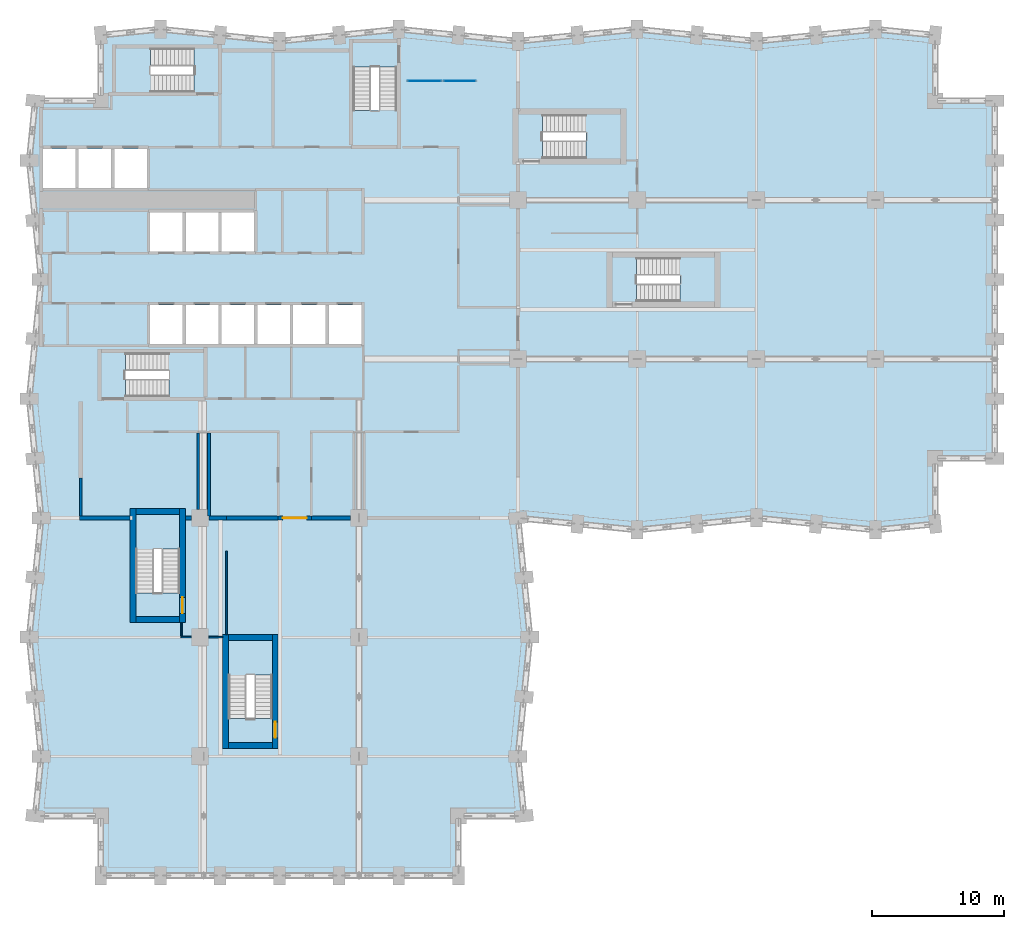
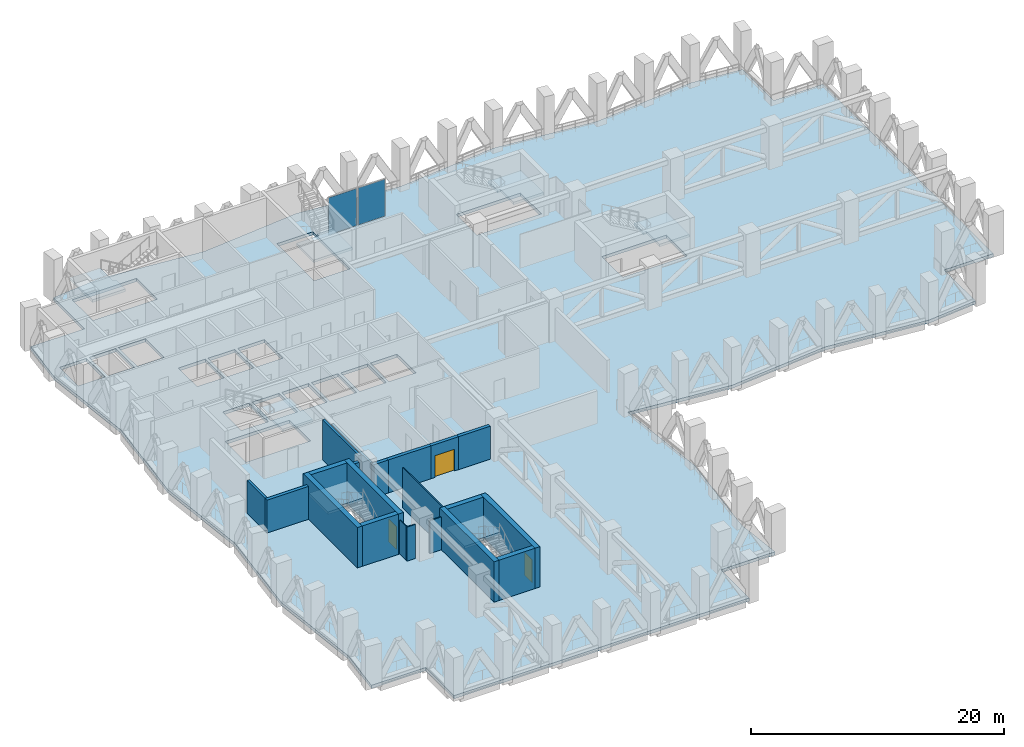
# One storey, part 13 of 25: 21 walls, 8 slabs, 3 doors, 2 plates, 3 openings, 9 elements without a shape of their own.
"""IFC4 building model written with IfcOpenShell, lengths in metres."""

from ifc_helpers import new_model, si_unit, direction, frame, frame_2d, origin, origin_2d, place, context, subcontext, project, spatial, polyline, rectangle, outline, extrude, material, layer, layer_set, type_object, element, fill, aggregate, save


model = new_model("IFC4")

# Units and contexts
model_context = context("Model", 3, precision=1e-05, world=origin(), true_north=direction((0.0, 1.0)))
body_context = subcontext(model_context, "Body", "Model", "MODEL_VIEW")
ifc_project = project(units=[si_unit("LENGTHUNIT", "METRE"), si_unit("AREAUNIT", "SQUARE_METRE"), si_unit("VOLUMEUNIT", "CUBIC_METRE"), si_unit("PLANEANGLEUNIT", "RADIAN"), si_unit("MASSUNIT", "GRAM", prefix="KILO")], contexts=[model_context])

# Site, building, storey
site_placement = place(None, origin())
site = spatial("IfcSite", under=ifc_project, at=site_placement, CompositionType="ELEMENT")
building_placement = place(site_placement, origin())
building = spatial("IfcBuilding", under=site, at=building_placement, Name="Brondeck Convention Tower", CompositionType="ELEMENT")
storey_placement = place(building_placement, frame((0.0, 0.0, 84.300048828125)))
storey = spatial("IfcBuildingStorey", under=building, at=storey_placement, Name="L19", CompositionType="ELEMENT", Elevation=84.300048828125)

# Curtain wall, plate
ifc_material_1 = material(Name="Aluminium, bronze anodised", Category="aluminium")
curtain_wall_type = type_object("IfcCurtainWallType", Name="Band enclosure curtain wall", PredefinedType="NOTDEFINED", material=ifc_material_1)
curtain_wall_1_placement = place(storey_placement, origin())
curtain_wall_1 = element("IfcCurtainWall", 1, at=curtain_wall_1_placement, inside=storey, type_object=curtain_wall_type, Name="ENV-L19-001-CW50", PredefinedType="NOTDEFINED")
ifc_material_2 = material(Name="Bronze tinted laminated glass", Category="glass")
ifc_layer_1 = layer(ifc_material_2, 0.008056640625, Name="Outer pane")
ifc_material_3 = material(Name="Argon-filled cavity")
ifc_layer_2 = layer(ifc_material_3, 0.011962890625, Name="Cavity")
ifc_material_4 = material(Name="Clear low-emissivity glass", Category="glass")
ifc_layer_3 = layer(ifc_material_4, 0.008056640625, Name="Inner pane")
ifc_layer_set_1 = layer_set([ifc_layer_1, ifc_layer_2, ifc_layer_3], Name="CW5 glazing panel")
plate_type = type_object("IfcPlateType", Name="CW5 glazing panel", PredefinedType="CURTAIN_PANEL", material=ifc_layer_set_1)
plate_1_placement = place(storey_placement, frame((31.60498046875, 60.0, 0.059814453125), z_axis=(0.0, 0.0, 1.0), x_axis=(1.0, 0.0, 0.0)))
plate_1 = element("IfcPlate", 2, at=plate_1_placement, type_object=plate_type, Name="CW5 panel 1.1", PredefinedType="CURTAIN_PANEL", context=body_context, shape_type="SweptSolid", body=[
    extrude(rectangle(XDim=2.429931640625, YDim=0.028076171875, at=origin_2d()), origin(), (0.0, 0.0, 1.0), 3.580078125),
])
aggregate(curtain_wall_1, [plate_1])

curtain_wall_2_placement = place(storey_placement, origin())
curtain_wall_2 = element("IfcCurtainWall", 3, at=curtain_wall_2_placement, inside=storey, type_object=curtain_wall_type, Name="ENV-L19-001-CW51", PredefinedType="NOTDEFINED")
plate_2_placement = place(storey_placement, frame((28.93505859375, 60.0, 0.059814453125), z_axis=(0.0, 0.0, 1.0), x_axis=(1.0, 0.0, 0.0)))
plate_2 = element("IfcPlate", 4, at=plate_2_placement, type_object=plate_type, Name="CW5 panel 1.1", PredefinedType="CURTAIN_PANEL", context=body_context, shape_type="SweptSolid", body=[
    extrude(rectangle(XDim=2.550048828125, YDim=0.028076171875, at=origin_2d()), origin(), (0.0, 0.0, 1.0), 3.580078125),
])
aggregate(curtain_wall_2, [plate_2])

# Slab
ifc_material_5 = material(Name="Concrete C35/45", Category="concrete")
ifc_layer_4 = layer(ifc_material_5, 0.300048828125)
ifc_layer_set_2 = layer_set([ifc_layer_4], Name="Composite floor slab 300")
slab_type_1 = type_object("IfcSlabType", Name="Composite floor slab 300", PredefinedType="FLOOR", material=ifc_layer_set_2)
slab_1_placement = place(storey_placement, frame((0.0, 0.0, -0.300048828125)))
element("IfcSlab", 5, at=slab_1_placement, inside=storey, type_object=slab_type_1, Name="STR-SL-L19", PredefinedType="FLOOR", context=body_context, shape_type="SweptSolid", body=[
    extrude(outline(polyline([(4.5, 4.5), (-0.449951171875, 4.5), (0.0, 9.0), (-0.89990234375, 18.0), (0.0, 27.0), (-0.89990234375, 36.0), (0.0, 45.0), (-0.89990234375, 54.0), (-0.449951171875, 58.5), (4.5, 58.5), (4.5, 63.449951171875), (9.0, 63.89990234375), (18.0, 63.0), (27.0, 63.89990234375), (36.0, 63.0), (45.0, 63.89990234375), (54.0, 63.0), (63.0, 63.89990234375), (67.5, 63.449951171875), (67.5, 58.5), (72.0, 58.5), (72.0, 31.5), (67.5, 31.5), (67.5, 26.550048828125), (63.0, 26.10009765625), (54.0, 27.0), (45.0, 26.10009765625), (36.0, 27.0), (36.89990234375, 18.0), (36.0, 9.0), (36.449951171875, 4.5), (31.5, 4.5), (31.5, 0.0), (4.5, 0.0), (4.5, 4.5)]), holes=[polyline([(10.447998046875, 27.248046875), (7.152099609375, 27.248046875), (7.152099609375, 21.35205078125), (10.447998046875, 21.35205078125), (10.447998046875, 27.248046875)]), polyline([(12.248046875, 36.152099609375), (12.248046875, 39.447998046875), (6.35205078125, 39.447998046875), (6.35205078125, 36.152099609375), (12.248046875, 36.152099609375)]), polyline([(10.675048828125, 40.125), (10.675048828125, 43.074951171875), (8.22509765625, 43.074951171875), (8.22509765625, 40.125), (10.675048828125, 40.125)]), polyline([(13.375, 40.125), (13.375, 43.074951171875), (10.925048828125, 43.074951171875), (10.925048828125, 40.125), (13.375, 40.125)]), polyline([(10.675048828125, 47.125), (10.675048828125, 50.074951171875), (8.22509765625, 50.074951171875), (8.22509765625, 47.125), (10.675048828125, 47.125)]), polyline([(13.375, 47.125), (13.375, 50.074951171875), (10.925048828125, 50.074951171875), (10.925048828125, 47.125), (13.375, 47.125)]), polyline([(2.574951171875, 51.925048828125), (2.574951171875, 54.875), (0.125, 54.875), (0.125, 51.925048828125), (2.574951171875, 51.925048828125)]), polyline([(2.824951171875, 51.925048828125), (5.27490234375, 51.925048828125), (5.27490234375, 54.875), (2.824951171875, 54.875), (2.824951171875, 51.925048828125)]), polyline([(5.52490234375, 51.925048828125), (7.97509765625, 51.925048828125), (7.97509765625, 54.875), (5.52490234375, 54.875), (5.52490234375, 51.925048828125)]), polyline([(5.652099609375, 62.447998046875), (5.652099609375, 59.152099609375), (11.548095703125, 59.152099609375), (11.548095703125, 62.447998046875), (5.652099609375, 62.447998046875)]), polyline([(17.447998046875, 17.748046875), (14.152099609375, 17.748046875), (14.152099609375, 11.85205078125), (17.447998046875, 11.85205078125), (17.447998046875, 17.748046875)]), polyline([(16.074951171875, 40.125), (16.074951171875, 43.074951171875), (13.625, 43.074951171875), (13.625, 40.125), (16.074951171875, 40.125)]), polyline([(16.324951171875, 40.125), (18.77490234375, 40.125), (18.77490234375, 43.074951171875), (16.324951171875, 43.074951171875), (16.324951171875, 40.125)]), polyline([(19.02490234375, 40.125), (21.47509765625, 40.125), (21.47509765625, 43.074951171875), (19.02490234375, 43.074951171875), (19.02490234375, 40.125)]), polyline([(24.175048828125, 40.125), (24.175048828125, 43.074951171875), (21.72509765625, 43.074951171875), (21.72509765625, 40.125), (24.175048828125, 40.125)]), polyline([(50.847900390625, 43.35205078125), (50.847900390625, 46.64794921875), (44.951904296875, 46.64794921875), (44.951904296875, 43.35205078125), (50.847900390625, 43.35205078125)]), polyline([(16.074951171875, 47.125), (16.074951171875, 50.074951171875), (13.625, 50.074951171875), (13.625, 47.125), (16.074951171875, 47.125)]), polyline([(37.85205078125, 54.152099609375), (43.748046875, 54.152099609375), (43.748046875, 57.447998046875), (37.85205078125, 57.447998046875), (37.85205078125, 54.152099609375)]), polyline([(23.552001953125, 61.048095703125), (23.552001953125, 55.152099609375), (26.847900390625, 55.152099609375), (26.847900390625, 61.048095703125), (23.552001953125, 61.048095703125)])]), origin(), (0.0, 0.0, 1.0), 0.300048828125),
])

# Stair, slab
ifc_material_6 = material(Name="Precast concrete C50/60", Category="concrete")
stair_type = type_object("IfcStairType", Name="Core stair 24 risers 175.00 mm riser 300 mm going 1350 wide", PredefinedType="HALF_TURN_STAIR", material=ifc_material_6)
stair_1_placement = place(storey_placement, origin())
stair_1 = element("IfcStair", 6, at=stair_1_placement, inside=storey, type_object=stair_type, Name="ST-1 L19 stair", PredefinedType="HALF_TURN_STAIR")
ifc_layer_5 = layer(ifc_material_6, 0.25)
ifc_layer_set_3 = layer_set([ifc_layer_5], Name="Core stair landing 250 Precast concrete C50/60")
slab_type_2 = type_object("IfcSlabType", Name="Core stair landing 250 Precast concrete C50/60", PredefinedType="LANDING", material=ifc_layer_set_3)
slab_2_placement = place(storey_placement, frame((0.0, 0.0, 1.849853515625)))
slab_2 = element("IfcSlab", 7, at=slab_2_placement, type_object=slab_type_2, Name="ST-1 landing 1", PredefinedType="LANDING", context=body_context, shape_type="SweptSolid", body=[
    extrude(outline(polyline([(9.64794921875, 37.5), (9.64990234375, 37.5), (9.64990234375, 38.10009765625), (9.35009765625, 38.10009765625), (9.35009765625, 39.570068359375), (12.3701171875, 39.570068359375), (12.3701171875, 36.030029296875), (9.64794921875, 36.030029296875), (9.64794921875, 37.5)])), origin(), (0.0, 0.0, 1.0), 0.25),
])
aggregate(stair_1, [slab_2])

stair_2_placement = place(storey_placement, origin())
stair_2 = element("IfcStair", 8, at=stair_2_placement, inside=storey, type_object=stair_type, Name="ST-2 L19 stair", PredefinedType="HALF_TURN_STAIR")
slab_3_placement = place(storey_placement, frame((0.0, 0.0, 1.849853515625)))
slab_3 = element("IfcSlab", 9, at=slab_3_placement, type_object=slab_type_2, Name="ST-2 landing 1", PredefinedType="LANDING", context=body_context, shape_type="SweptSolid", body=[
    extrude(outline(polyline([(23.429931640625, 57.751953125), (24.89990234375, 57.751953125), (24.89990234375, 57.75), (25.5, 57.75), (25.5, 58.050048828125), (26.969970703125, 58.050048828125), (26.969970703125, 55.030029296875), (23.429931640625, 55.030029296875), (23.429931640625, 57.751953125)])), origin(), (0.0, 0.0, 1.0), 0.25),
])
aggregate(stair_2, [slab_3])

stair_3_placement = place(storey_placement, origin())
stair_3 = element("IfcStair", 10, at=stair_3_placement, inside=storey, type_object=stair_type, Name="ST-3 L19 stair", PredefinedType="HALF_TURN_STAIR")
slab_4_placement = place(storey_placement, frame((0.0, 0.0, 1.849853515625)))
slab_4 = element("IfcSlab", 11, at=slab_4_placement, type_object=slab_type_2, Name="ST-3 landing 1", PredefinedType="LANDING", context=body_context, shape_type="SweptSolid", body=[
    extrude(outline(polyline([(8.550048828125, 60.5), (8.550048828125, 59.030029296875), (5.530029296875, 59.030029296875), (5.530029296875, 62.570068359375), (8.251953125, 62.570068359375), (8.251953125, 61.10009765625), (8.25, 61.10009765625), (8.25, 60.5), (8.550048828125, 60.5)])), origin(), (0.0, 0.0, 1.0), 0.25),
])
aggregate(stair_3, [slab_4])

stair_4_placement = place(storey_placement, origin())
stair_4 = element("IfcStair", 12, at=stair_4_placement, inside=storey, type_object=stair_type, Name="ST-AE L19 stair", PredefinedType="HALF_TURN_STAIR")
slab_5_placement = place(storey_placement, frame((0.0, 0.0, 1.849853515625)))
slab_5 = element("IfcSlab", 13, at=slab_5_placement, type_object=slab_type_2, Name="ST-AE landing 1", PredefinedType="LANDING", context=body_context, shape_type="SweptSolid", body=[
    extrude(outline(polyline([(41.14794921875, 55.5), (41.14990234375, 55.5), (41.14990234375, 56.10009765625), (40.85009765625, 56.10009765625), (40.85009765625, 57.570068359375), (43.8701171875, 57.570068359375), (43.8701171875, 54.030029296875), (41.14794921875, 54.030029296875), (41.14794921875, 55.5)])), origin(), (0.0, 0.0, 1.0), 0.25),
])
aggregate(stair_4, [slab_5])

stair_5_placement = place(storey_placement, origin())
stair_5 = element("IfcStair", 14, at=stair_5_placement, inside=storey, type_object=stair_type, Name="ST-BE L19 stair", PredefinedType="HALF_TURN_STAIR")
slab_6_placement = place(storey_placement, frame((0.0, 0.0, 1.849853515625)))
slab_6 = element("IfcSlab", 15, at=slab_6_placement, type_object=slab_type_2, Name="ST-BE landing 1", PredefinedType="LANDING", context=body_context, shape_type="SweptSolid", body=[
    extrude(outline(polyline([(7.030029296875, 24.35009765625), (7.030029296875, 27.3701171875), (10.570068359375, 27.3701171875), (10.570068359375, 24.64794921875), (9.10009765625, 24.64794921875), (9.10009765625, 24.64990234375), (8.5, 24.64990234375), (8.5, 24.35009765625), (7.030029296875, 24.35009765625)])), origin(), (0.0, 0.0, 1.0), 0.25),
])
aggregate(stair_5, [slab_6])

stair_6_placement = place(storey_placement, origin())
stair_6 = element("IfcStair", 16, at=stair_6_placement, inside=storey, type_object=stair_type, Name="ST-AF L19 stair", PredefinedType="HALF_TURN_STAIR")
slab_7_placement = place(storey_placement, frame((0.0, 0.0, 1.849853515625)))
slab_7 = element("IfcSlab", 17, at=slab_7_placement, type_object=slab_type_2, Name="ST-AF landing 1", PredefinedType="LANDING", context=body_context, shape_type="SweptSolid", body=[
    extrude(outline(polyline([(48.248046875, 44.699951171875), (48.25, 44.699951171875), (48.25, 45.300048828125), (47.949951171875, 45.300048828125), (47.949951171875, 46.77001953125), (50.969970703125, 46.77001953125), (50.969970703125, 43.22998046875), (48.248046875, 43.22998046875), (48.248046875, 44.699951171875)])), origin(), (0.0, 0.0, 1.0), 0.25),
])
aggregate(stair_6, [slab_7])

stair_7_placement = place(storey_placement, origin())
stair_7 = element("IfcStair", 18, at=stair_7_placement, inside=storey, type_object=stair_type, Name="ST-BF L19 stair", PredefinedType="HALF_TURN_STAIR")
slab_8_placement = place(storey_placement, frame((0.0, 0.0, 1.849853515625)))
slab_8 = element("IfcSlab", 19, at=slab_8_placement, type_object=slab_type_2, Name="ST-BF landing 1", PredefinedType="LANDING", context=body_context, shape_type="SweptSolid", body=[
    extrude(outline(polyline([(14.030029296875, 14.85009765625), (14.030029296875, 17.8701171875), (17.570068359375, 17.8701171875), (17.570068359375, 15.14794921875), (16.10009765625, 15.14794921875), (16.10009765625, 15.14990234375), (15.5, 15.14990234375), (15.5, 14.85009765625), (14.030029296875, 14.85009765625)])), origin(), (0.0, 0.0, 1.0), 0.25),
])
aggregate(stair_7, [slab_8])

# Walls
ifc_material_7 = material(Name="Concrete compartment wall C30/37", Category="concrete")
ifc_layer_6 = layer(ifc_material_7, 0.300048828125)
ifc_layer_set_4 = layer_set([ifc_layer_6], Name="Compartment wall 300")
wall_type_1 = type_object("IfcWallType", Name="Compartment wall 300", PredefinedType="PARTITIONING", material=ifc_layer_set_4)
wall_1_placement = place(storey_placement, frame((6.699951171875, 27.0, 0.0), z_axis=(0.0, 0.0, 1.0), x_axis=(-1.0, 0.0, 0.0)))
element("IfcWall", 20, at=wall_1_placement, inside=storey, type_object=wall_type_1, Name="FLR-L19-W005", PredefinedType="PARTITIONING", context=body_context, shape_type="SweptSolid", body=[
    extrude(rectangle(XDim=3.800048828125, YDim=0.300048828125, at=frame_2d((1.89990234375, 0.0))), origin(), (0.0, 0.0, 1.0), 3.179931640625),
])
wall_2_placement = place(storey_placement, frame((10.89990234375, 27.0, 0.0), z_axis=(0.0, 0.0, 1.0), x_axis=(1.0, 0.0, 0.0)))
element("IfcWall", 21, at=wall_2_placement, inside=storey, type_object=wall_type_1, Name="FLR-L19-W006", PredefinedType="PARTITIONING", context=body_context, shape_type="SweptSolid", body=[
    extrude(rectangle(XDim=0.445068359375, YDim=0.300048828125, at=frame_2d((0.22265625, 0.0))), origin(), (0.0, 0.0, 1.0), 3.8798828125),
])
wall_3_placement = place(storey_placement, frame((12.669921875, 27.0, 0.0), z_axis=(0.0, 0.0, 1.0), x_axis=(1.0, 0.0, 0.0)))
element("IfcWall", 22, at=wall_3_placement, inside=storey, type_object=wall_type_1, Name="FLR-L19-W007", PredefinedType="PARTITIONING", context=body_context, shape_type="SweptSolid", body=[
    extrude(rectangle(XDim=1.330078125, YDim=0.300048828125, at=frame_2d((0.6650390625, 0.0))), origin(), (0.0, 0.0, 1.0), 3.179931640625),
])
wall_4_placement = place(storey_placement, frame((17.89990234375, 27.0, 0.0), z_axis=(0.0, 0.0, 1.0), x_axis=(-1.0, 0.0, 0.0)))
element("IfcWall", 23, at=wall_4_placement, inside=storey, type_object=wall_type_1, Name="FLR-L19-W008", PredefinedType="PARTITIONING", context=body_context, shape_type="SweptSolid", body=[
    extrude(rectangle(XDim=3.89990234375, YDim=0.300048828125, at=frame_2d((1.949951171875, 0.0))), origin(), (0.0, 0.0, 1.0), 3.179931640625),
])

# Wall, opening, door
wall_5_placement = place(storey_placement, frame((20.39990234375, 27.0, 0.0), z_axis=(0.0, 0.0, 1.0), x_axis=(-1.0, 0.0, 0.0)))
wall_5 = element("IfcWall", 24, at=wall_5_placement, inside=storey, type_object=wall_type_1, Name="FLR-L19-W009", PredefinedType="PARTITIONING", context=body_context, shape_type="SweptSolid", body=[
    extrude(rectangle(XDim=2.5, YDim=0.300048828125, at=frame_2d((1.25, 0.0))), origin(), (0.0, 0.0, 1.0), 3.179931640625),
])
opening_1_placement = place(wall_5_placement, frame((0.35009765625, 0.0, 0.0)))
opening_1 = element("IfcOpeningElement", 25, at=opening_1_placement, cuts=wall_5, Name="Opening BD-1-009", PredefinedType="OPENING", context=body_context, shape_type="SweptSolid", body=[
    extrude(rectangle(XDim=1.800048828125, YDim=2.10009765625, at=frame_2d((0.89990234375, 1.050048828125))), frame((0.0, 0.159912109375, 0.0), z_axis=(0.0, -1.0, 0.0), x_axis=(1.0, 0.0, 0.0)), (0.0, 0.0, 1.0), 0.320068359375),
])
ifc_material_8 = material(Name="Steel fire door pair", Category="steel")
door_type_1 = type_object("IfcDoorType", Name="Fire door pair 1800", OperationType="DOUBLE_DOOR_SINGLE_SWING", PredefinedType="DOOR", material=ifc_material_8)
door_1_placement = place(opening_1_placement, origin())
door_1 = element("IfcDoor", 26, at=door_1_placement, inside=storey, type_object=door_type_1, Name="Door BD-1-009", OperationType="DOUBLE_DOOR_SINGLE_SWING", OverallHeight=2.10009765625, OverallWidth=1.800048828125, PredefinedType="DOOR", context=body_context, shape_type="SweptSolid", body=[
    extrude(rectangle(XDim=1.800048828125, YDim=2.10009765625, at=frame_2d((0.89990234375, 1.050048828125))), frame((0.0, 0.02490234375, 0.0), z_axis=(0.0, -1.0, 0.0), x_axis=(1.0, 0.0, 0.0)), (0.0, 0.0, 1.0), 0.050048828125),
])
fill(opening_1, door_1)

# Walls
wall_6_placement = place(storey_placement, frame((23.344970703125, 27.0, 0.0), z_axis=(0.0, 0.0, 1.0), x_axis=(-1.0, 0.0, 0.0)))
element("IfcWall", 27, at=wall_6_placement, inside=storey, type_object=wall_type_1, Name="FLR-L19-W010", PredefinedType="PARTITIONING", context=body_context, shape_type="SweptSolid", body=[
    extrude(rectangle(XDim=2.945068359375, YDim=0.300048828125, at=frame_2d((1.47265625, 0.0))), origin(), (0.0, 0.0, 1.0), 3.179931640625),
])
ifc_material_9 = material(Name="Concrete block wall C16/20", Category="concrete")
ifc_layer_7 = layer(ifc_material_9, 0.199951171875)
ifc_layer_set_5 = layer_set([ifc_layer_7], Name="Plant room wall 200")
wall_type_2 = type_object("IfcWallType", Name="Plant room wall 200", PredefinedType="PARTITIONING", material=ifc_layer_set_5)
wall_7_placement = place(storey_placement, frame((3.0, 27.159912109375, 0.0), z_axis=(0.0, 0.0, 1.0), x_axis=(0.0, 1.0, 0.0)))
element("IfcWall", 28, at=wall_7_placement, inside=storey, type_object=wall_type_2, Name="FLR-L19-W012", PredefinedType="PARTITIONING", context=body_context, shape_type="SweptSolid", body=[
    extrude(rectangle(XDim=2.840087890625, YDim=0.199951171875, at=frame_2d((1.419921875, 0.0))), origin(), (0.0, 0.0, 1.0), 3.179931640625),
])
wall_8_placement = place(storey_placement, frame((12.669921875, 27.159912109375, 0.0), z_axis=(0.0, 0.0, 1.0), x_axis=(0.0, 1.0, 0.0)))
element("IfcWall", 29, at=wall_8_placement, inside=storey, type_object=wall_type_2, Name="FLR-L19-W013", PredefinedType="PARTITIONING", context=body_context, shape_type="SweptSolid", body=[
    extrude(rectangle(XDim=6.239990234375, YDim=0.199951171875, at=frame_2d((3.1201171875, 0.0))), origin(), (0.0, 0.0, 1.0), 3.179931640625),
])
wall_9_placement = place(storey_placement, frame((11.8701171875, 33.39990234375, 0.0), z_axis=(0.0, 0.0, 1.0), x_axis=(0.0, -1.0, 0.0)))
element("IfcWall", 30, at=wall_9_placement, inside=storey, type_object=wall_type_2, Name="FLR-L19-W018", PredefinedType="PARTITIONING", context=body_context, shape_type="SweptSolid", body=[
    extrude(rectangle(XDim=5.744873046875, YDim=0.199951171875, at=frame_2d((2.87255859375, 0.0))), origin(), (0.0, 0.0, 1.0), 3.8798828125),
])
ifc_material_10 = material(Name="Gypsum board partition on steel studs", Category="steel")
ifc_layer_8 = layer(ifc_material_10, 0.10009765625)
ifc_layer_set_6 = layer_set([ifc_layer_8], Name="Room partition 100")
wall_type_3 = type_object("IfcWallType", Name="Room partition 100", PredefinedType="PARTITIONING", material=ifc_layer_set_6)
wall_10_placement = place(storey_placement, frame((11.344970703125, 18.0, 0.0), z_axis=(0.0, 0.0, 1.0), x_axis=(-1.0, 0.0, 0.0)))
element("IfcWall", 31, at=wall_10_placement, inside=storey, type_object=wall_type_3, Name="FLR-L19-W001", PredefinedType="PARTITIONING", context=body_context, shape_type="SweptSolid", body=[
    extrude(rectangle(XDim=0.794921875, YDim=0.10009765625, at=frame_2d((0.3974609375, 0.0))), origin(), (0.0, 0.0, 1.0), 3.280029296875),
])
wall_11_placement = place(storey_placement, frame((13.699951171875, 18.0, 0.0), z_axis=(0.0, 0.0, 1.0), x_axis=(-1.0, 0.0, 0.0)))
element("IfcWall", 32, at=wall_11_placement, inside=storey, type_object=wall_type_3, Name="FLR-L19-W002", PredefinedType="PARTITIONING", context=body_context, shape_type="SweptSolid", body=[
    extrude(rectangle(XDim=1.044921875, YDim=0.10009765625, at=frame_2d((0.5224609375, 0.0))), origin(), (0.0, 0.0, 1.0), 3.179931640625),
])
wall_12_placement = place(storey_placement, frame((10.60009765625, 18.050048828125, 0.0), z_axis=(0.0, 0.0, 1.0), x_axis=(0.0, 1.0, 0.0)))
element("IfcWall", 33, at=wall_12_placement, inside=storey, type_object=wall_type_3, Name="FLR-L19-W003", PredefinedType="PARTITIONING", context=body_context, shape_type="SweptSolid", body=[
    extrude(rectangle(XDim=1.050048828125, YDim=0.10009765625, at=frame_2d((0.52490234375, 0.0))), origin(), (0.0, 0.0, 1.0), 3.280029296875),
])
wall_13_placement = place(storey_placement, frame((14.0, 24.5, 0.0), z_axis=(0.0, 0.0, 1.0), x_axis=(0.0, -1.0, 0.0)))
element("IfcWall", 34, at=wall_13_placement, inside=storey, type_object=wall_type_3, Name="FLR-L19-W004", PredefinedType="PARTITIONING", context=body_context, shape_type="SweptSolid", body=[
    extrude(rectangle(XDim=6.300048828125, YDim=0.10009765625, at=frame_2d((3.14990234375, 0.0))), origin(), (0.0, 0.0, 1.0), 3.8798828125),
])
ifc_material_11 = material(Name="Concrete C50/60", Category="concrete")
ifc_layer_9 = layer(ifc_material_11, 0.449951171875)
ifc_layer_set_7 = layer_set([ifc_layer_9], Name="Stair enclosure bearing wall 450 Concrete C50/60")
wall_type_4 = type_object("IfcWallType", Name="Stair enclosure bearing wall 450 Concrete C50/60", PredefinedType="SHEAR", material=ifc_layer_set_7)
for number, where, z_axis, x_axis, name in (
    (35, (14.14990234375, 9.824951171875, 0.0), (0.0, 0.0, 1.0), (1.0, 0.0, 0.0), "L19 core wall"),
    (36, (14.14990234375, 17.97509765625, 0.0), (0.0, 0.0, 1.0), (1.0, 0.0, 0.0), "L19 core wall"),
    (37, (7.14990234375, 19.324951171875, 0.0), (0.0, 0.0, 1.0), (1.0, 0.0, 0.0), "L19 core wall"),
    (38, (7.14990234375, 27.47509765625, 0.0), (0.0, 0.0, 1.0), (1.0, 0.0, 0.0), "L19 core wall"),
):
    element("IfcWall", number, at=place(storey_placement, frame(where, z_axis=z_axis, x_axis=x_axis)), inside=storey, type_object=wall_type_4, Name=name, PredefinedType="SHEAR", context=body_context, shape_type="SweptSolid", body=[
        extrude(rectangle(XDim=3.300048828125, YDim=0.449951171875, at=frame_2d((1.64990234375, 0.0))), origin(), (0.0, 0.0, 1.0), 3.89990234375),
    ])
wall_14_placement = place(storey_placement, frame((6.925048828125, 19.10009765625, 0.0), z_axis=(0.0, 0.0, 1.0), x_axis=(0.0, 1.0, 0.0)))
element("IfcWall", 39, at=wall_14_placement, inside=storey, type_object=wall_type_4, Name="L19 core wall", PredefinedType="SHEAR", context=body_context, shape_type="SweptSolid", body=[
    extrude(rectangle(XDim=8.599853515625, YDim=0.449951171875, at=frame_2d((4.2998046875, 0.0))), origin(), (0.0, 0.0, 1.0), 3.89990234375),
])

# Wall, opening, door
wall_15_placement = place(storey_placement, frame((10.675048828125, 19.10009765625, 0.0), z_axis=(0.0, 0.0, 1.0), x_axis=(0.0, 1.0, 0.0)))
wall_15 = element("IfcWall", 40, at=wall_15_placement, inside=storey, type_object=wall_type_4, Name="L19 core wall", PredefinedType="SHEAR", context=body_context, shape_type="SweptSolid", body=[
    extrude(rectangle(XDim=8.599853515625, YDim=0.449951171875, at=frame_2d((4.2998046875, 0.0))), origin(), (0.0, 0.0, 1.0), 3.89990234375),
])
opening_2_placement = place(wall_15_placement, frame((0.699951171875, 0.0, 0.0)))
opening_2 = element("IfcOpeningElement", 41, at=opening_2_placement, cuts=wall_15, Name="Opening C13-19", PredefinedType="OPENING", context=body_context, shape_type="SweptSolid", body=[
    extrude(rectangle(XDim=1.199951171875, YDim=2.199951171875, at=frame_2d((0.60009765625, 1.10009765625))), frame((0.0, 0.23486328125, 0.0), z_axis=(0.0, -1.0, 0.0), x_axis=(1.0, 0.0, 0.0)), (0.0, 0.0, 1.0), 0.469970703125),
])
ifc_material_12 = material(Name="Steel fire door", Category="steel")
door_type_2 = type_object("IfcDoorType", Name="Stair door 1200x2200 EI 90", OperationType="NOTDEFINED", PredefinedType="DOOR", material=ifc_material_12)
door_2_placement = place(opening_2_placement, origin())
door_2 = element("IfcDoor", 42, at=door_2_placement, inside=storey, type_object=door_type_2, Name="L19 Stair door ST-BE", OperationType="SINGLE_SWING_RIGHT", OverallHeight=2.199951171875, OverallWidth=1.199951171875, PredefinedType="DOOR", context=body_context, shape_type="SweptSolid", body=[
    extrude(rectangle(XDim=1.199951171875, YDim=2.199951171875, at=frame_2d((0.60009765625, 1.10009765625))), frame((0.0, 0.02490234375, 0.0), z_axis=(0.0, -1.0, 0.0), x_axis=(1.0, 0.0, 0.0)), (0.0, 0.0, 1.0), 0.050048828125),
])
fill(opening_2, door_2)

# Wall
wall_16_placement = place(storey_placement, frame((13.925048828125, 9.60009765625, 0.0), z_axis=(0.0, 0.0, 1.0), x_axis=(0.0, 1.0, 0.0)))
element("IfcWall", 43, at=wall_16_placement, inside=storey, type_object=wall_type_4, Name="L19 core wall", PredefinedType="SHEAR", context=body_context, shape_type="SweptSolid", body=[
    extrude(rectangle(XDim=8.599853515625, YDim=0.449951171875, at=frame_2d((4.2998046875, 0.0))), origin(), (0.0, 0.0, 1.0), 3.89990234375),
])

# Wall, opening, door
wall_17_placement = place(storey_placement, frame((17.675048828125, 9.60009765625, 0.0), z_axis=(0.0, 0.0, 1.0), x_axis=(0.0, 1.0, 0.0)))
wall_17 = element("IfcWall", 44, at=wall_17_placement, inside=storey, type_object=wall_type_4, Name="L19 core wall", PredefinedType="SHEAR", context=body_context, shape_type="SweptSolid", body=[
    extrude(rectangle(XDim=8.599853515625, YDim=0.449951171875, at=frame_2d((4.2998046875, 0.0))), origin(), (0.0, 0.0, 1.0), 3.89990234375),
])
opening_3_placement = place(wall_17_placement, frame((0.800048828125, 0.0, 0.0)))
opening_3 = element("IfcOpeningElement", 45, at=opening_3_placement, cuts=wall_17, Name="Opening C13-20", PredefinedType="OPENING", context=body_context, shape_type="SweptSolid", body=[
    extrude(rectangle(XDim=1.199951171875, YDim=2.199951171875, at=frame_2d((0.60009765625, 1.10009765625))), frame((0.0, 0.23486328125, 0.0), z_axis=(0.0, -1.0, 0.0), x_axis=(1.0, 0.0, 0.0)), (0.0, 0.0, 1.0), 0.469970703125),
])
door_3_placement = place(opening_3_placement, origin())
door_3 = element("IfcDoor", 46, at=door_3_placement, inside=storey, type_object=door_type_2, Name="L19 Stair door ST-BF", OperationType="SINGLE_SWING_LEFT", OverallHeight=2.199951171875, OverallWidth=1.199951171875, PredefinedType="DOOR", context=body_context, shape_type="SweptSolid", body=[
    extrude(rectangle(XDim=1.199951171875, YDim=2.199951171875, at=frame_2d((0.60009765625, 1.10009765625))), frame((0.0, 0.02490234375, 0.0), z_axis=(0.0, -1.0, 0.0), x_axis=(1.0, 0.0, 0.0)), (0.0, 0.0, 1.0), 0.050048828125),
])
fill(opening_3, door_3)

save(model, "model.ifc")
